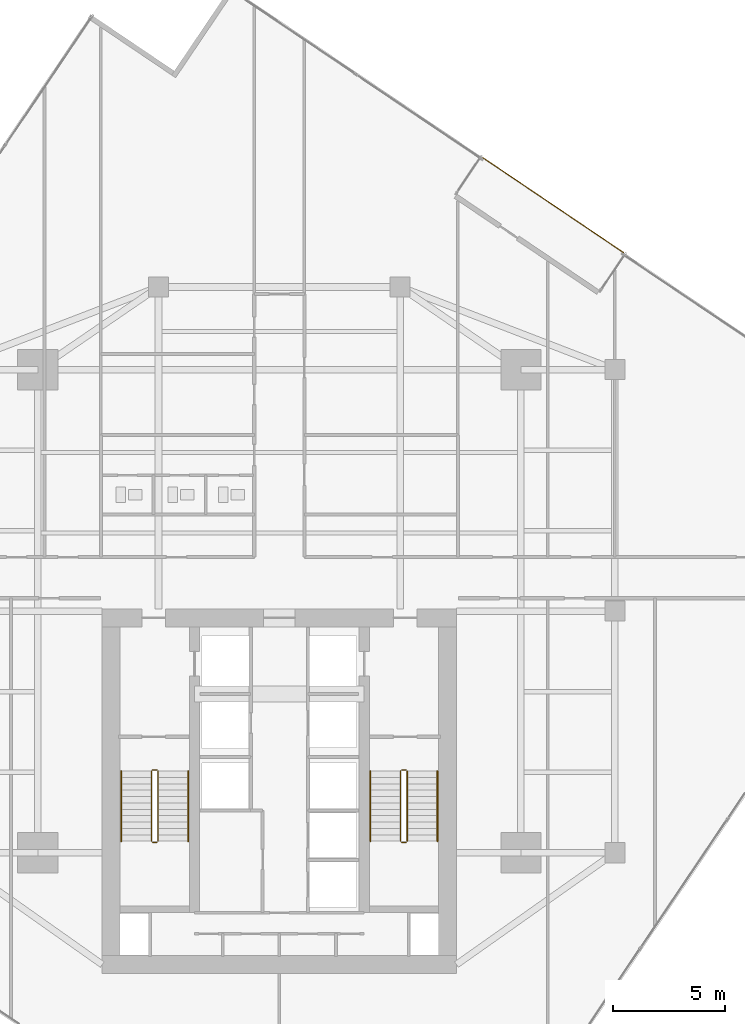
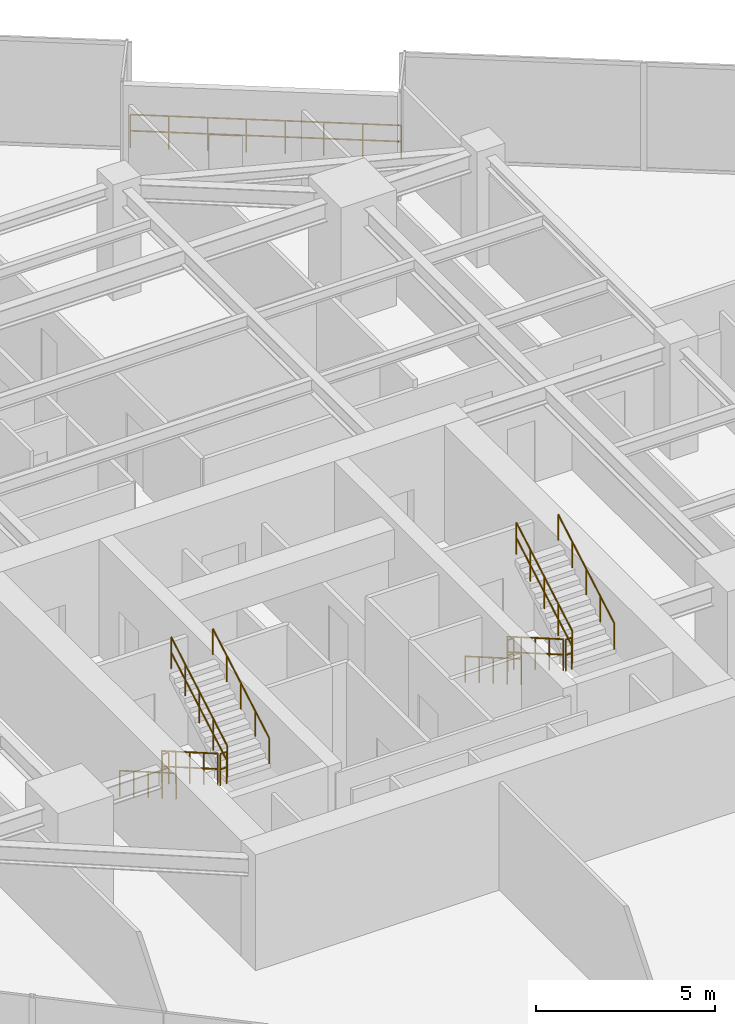
# One storey, part 26 of 27: 13 railings.
"""IFC4 building model written with IfcOpenShell, lengths in metres."""

from ifc_helpers import new_model, si_unit, direction, frame, origin, origin_2d, place, context, subcontext, project, spatial, circle, extrude, material, layer, layer_set, type_object, element, save


model = new_model("IFC4")

# Units and contexts
model_context = context("Model", 3, precision=1e-05, world=origin(), true_north=direction((0.0, 1.0)))
body_context = subcontext(model_context, "Body", "Model", "MODEL_VIEW")
ifc_project = project(units=[si_unit("LENGTHUNIT", "METRE"), si_unit("AREAUNIT", "SQUARE_METRE"), si_unit("VOLUMEUNIT", "CUBIC_METRE"), si_unit("PLANEANGLEUNIT", "RADIAN"), si_unit("MASSUNIT", "GRAM", prefix="KILO")], contexts=[model_context])

# Site, building, storey
site_placement = place(None, origin())
site = spatial("IfcSite", under=ifc_project, at=site_placement, CompositionType="ELEMENT")
building_placement = place(site_placement, origin())
building = spatial("IfcBuilding", under=site, at=building_placement, Name="Krantzveldt Concourse Tower", CompositionType="ELEMENT")
storey_placement = place(building_placement, frame((0.0, 0.0, 185.699951171875)))
storey = spatial("IfcBuildingStorey", under=building, at=storey_placement, Name="L45", CompositionType="ELEMENT", Elevation=185.699951171875)

# Railings
ifc_material = material(Name="Stainless steel 316L", Category="steel")
ifc_layer_1 = layer(ifc_material, 0.080078125, Name="Stainless steel 316L", Category="steel")
ifc_layer_set_1 = layer_set([ifc_layer_1], Name="Stainless steel 316L (RL-BALUSTRADE-1150)")
railing_type_1 = type_object("IfcRailingType", Name="RL-BALUSTRADE-1150", PredefinedType="BALUSTRADE", material=ifc_layer_set_1)
railing_1_placement = place(storey_placement, frame((45.095947265625, 46.98095703125, 0.0)))
element("IfcRailing", 1, at=railing_1_placement, inside=storey, type_object=railing_type_1, Name="GD-L45-CTER-01", PredefinedType="BALUSTRADE", context=body_context, shape_type="SweptSolid", body=[
    extrude(circle(Radius=0.02392578125, at=origin_2d()), frame((0.0, 0.0, 1.1259765625), z_axis=(0.82903334026, -0.559199178055, 0.0), x_axis=(0.559199178055, 0.82903334026, 0.0)), (0.0, 0.0, 1.0), 7.60009765625),
    extrude(circle(Radius=0.02392578125, at=origin_2d()), frame((0.0, 0.0, 0.574951171875), z_axis=(0.82903334026, -0.559199178055, 0.0), x_axis=(0.559199178055, 0.82903334026, 0.0)), (0.0, 0.0, 1.0), 7.60009765625),
    extrude(circle(Radius=0.02099609375, at=origin_2d()), origin(), (0.0, 0.0, 1.0), 1.101806640625),
    extrude(circle(Radius=0.02099609375, at=origin_2d()), frame((0.900146484375, -0.607177734375, 0.0)), (0.0, 0.0, 1.0), 1.101806640625),
    extrude(circle(Radius=0.02099609375, at=origin_2d()), frame((1.80029296875, -1.21435546875, 0.0)), (0.0, 0.0, 1.0), 1.101806640625),
    extrude(circle(Radius=0.02099609375, at=origin_2d()), frame((2.700439453125, -1.821533203125, 0.0)), (0.0, 0.0, 1.0), 1.101806640625),
    extrude(circle(Radius=0.02099609375, at=origin_2d()), frame((3.600341796875, -2.428466796875, 0.0)), (0.0, 0.0, 1.0), 1.101806640625),
    extrude(circle(Radius=0.02099609375, at=origin_2d()), frame((4.50048828125, -3.03564453125, 0.0)), (0.0, 0.0, 1.0), 1.101806640625),
    extrude(circle(Radius=0.02099609375, at=origin_2d()), frame((5.400634765625, -3.642822265625, 0.0)), (0.0, 0.0, 1.0), 1.101806640625),
    extrude(circle(Radius=0.02099609375, at=origin_2d()), frame((6.30078125, -4.25, 0.0)), (0.0, 0.0, 1.0), 1.101806640625),
])
ifc_layer_2 = layer(ifc_material, 0.06005859375, Name="Stainless steel 316L", Category="steel")
ifc_layer_set_2 = layer_set([ifc_layer_2], Name="Stainless steel 316L (RL-GUARD-1120)")
railing_type_2 = type_object("IfcRailingType", Name="RL-GUARD-1120", PredefinedType="GUARDRAIL", material=ifc_layer_set_2)
railing_2_placement = place(storey_placement, frame((30.280029296875, 19.550048828125, 0.16455078125)))
element("IfcRailing", 2, at=railing_2_placement, inside=storey, type_object=railing_type_2, Name="L45 ST-1 stair guard 1", PredefinedType="GUARDRAIL", context=body_context, shape_type="SweptSolid", body=[
    extrude(circle(Radius=0.02392578125, at=origin_2d()), frame((0.0, 0.0, 1.076171875), z_axis=(0.0, -0.865959834175, 0.500113552702), x_axis=(1.0, 0.0, 0.0)), (0.0, 0.0, 1.0), 3.620361328125),
    extrude(circle(Radius=0.02392578125, at=origin_2d()), frame((0.0, 0.0, 0.550048828125), z_axis=(0.0, -0.865959834175, 0.500113552702), x_axis=(1.0, 0.0, 0.0)), (0.0, 0.0, 1.0), 3.620361328125),
    extrude(circle(Radius=0.02099609375, at=origin_2d()), origin(), (0.0, 0.0, 1.0), 1.052001953125),
    extrude(circle(Radius=0.02099609375, at=origin_2d()), frame((0.0, -0.78369140625, 0.45263671875)), (0.0, 0.0, 1.0), 1.052001953125),
    extrude(circle(Radius=0.02099609375, at=origin_2d()), frame((0.0, -1.5673828125, 0.9052734375)), (0.0, 0.0, 1.0), 1.052001953125),
    extrude(circle(Radius=0.02099609375, at=origin_2d()), frame((0.0, -2.351318359375, 1.35791015625)), (0.0, 0.0, 1.0), 1.052001953125),
    extrude(circle(Radius=0.02099609375, at=origin_2d()), frame((0.0, -3.135009765625, 1.810546875)), (0.0, 0.0, 1.0), 1.052001953125),
])
railing_3_placement = place(storey_placement, frame((30.330078125, 16.364990234375, 1.97509765625)))
element("IfcRailing", 3, at=railing_3_placement, inside=storey, type_object=railing_type_2, Name="L45 ST-1 stair guard 2", PredefinedType="GUARDRAIL", context=body_context, shape_type="SweptSolid", body=[
    extrude(circle(Radius=0.02392578125, at=origin_2d()), frame((0.0, 0.0, 1.076171875), z_axis=(1.0, 0.0, 0.0), x_axis=(0.0, 1.0, 0.0)), (0.0, 0.0, 1.0), 0.199951171875),
    extrude(circle(Radius=0.02392578125, at=origin_2d()), frame((0.0, 0.0, 0.550048828125), z_axis=(1.0, 0.0, 0.0), x_axis=(0.0, 1.0, 0.0)), (0.0, 0.0, 1.0), 0.199951171875),
    extrude(circle(Radius=0.02099609375, at=origin_2d()), origin(), (0.0, 0.0, 1.0), 1.052001953125),
    extrude(circle(Radius=0.02099609375, at=origin_2d()), frame((0.199951171875, 0.0, 0.0)), (0.0, 0.0, 1.0), 1.052001953125),
])
railing_4_placement = place(storey_placement, frame((30.580078125, 16.4150390625, 2.1396484375)))
element("IfcRailing", 4, at=railing_4_placement, inside=storey, type_object=railing_type_2, Name="L45 ST-1 stair guard 3", PredefinedType="GUARDRAIL", context=body_context, shape_type="SweptSolid", body=[
    extrude(circle(Radius=0.02392578125, at=origin_2d()), frame((0.0, 0.0, 1.076171875), z_axis=(0.0, 0.865989039225, 0.500062979975), x_axis=(-1.0, 0.0, 0.0)), (0.0, 0.0, 1.0), 3.6201171875),
    extrude(circle(Radius=0.02392578125, at=origin_2d()), frame((0.0, 0.0, 0.550048828125), z_axis=(0.0, 0.865989039225, 0.500062979975), x_axis=(-1.0, 0.0, 0.0)), (0.0, 0.0, 1.0), 3.6201171875),
    extrude(circle(Radius=0.02099609375, at=origin_2d()), origin(), (0.0, 0.0, 1.0), 1.052001953125),
    extrude(circle(Radius=0.02099609375, at=origin_2d()), frame((0.0, 0.78369140625, 0.45263671875)), (0.0, 0.0, 1.0), 1.052001953125),
    extrude(circle(Radius=0.02099609375, at=origin_2d()), frame((0.0, 1.5673828125, 0.9052734375)), (0.0, 0.0, 1.0), 1.052001953125),
    extrude(circle(Radius=0.02099609375, at=origin_2d()), frame((0.0, 2.351318359375, 1.357666015625)), (0.0, 0.0, 1.0), 1.052001953125),
    extrude(circle(Radius=0.02099609375, at=origin_2d()), frame((0.0, 3.135009765625, 1.810302734375)), (0.0, 0.0, 1.0), 1.052001953125),
])
railing_5_placement = place(storey_placement, frame((30.330078125, 19.60009765625, 0.0)))
element("IfcRailing", 5, at=railing_5_placement, inside=storey, type_object=railing_type_2, Name="L45 ST-1 stair guard 4", PredefinedType="GUARDRAIL", context=body_context, shape_type="SweptSolid", body=[
    extrude(circle(Radius=0.02392578125, at=origin_2d()), frame((0.0, 0.0, 1.076171875), z_axis=(1.0, 0.0, 0.0), x_axis=(0.0, 1.0, 0.0)), (0.0, 0.0, 1.0), 0.199951171875),
    extrude(circle(Radius=0.02392578125, at=origin_2d()), frame((0.0, 0.0, 0.550048828125), z_axis=(1.0, 0.0, 0.0), x_axis=(0.0, 1.0, 0.0)), (0.0, 0.0, 1.0), 0.199951171875),
    extrude(circle(Radius=0.02099609375, at=origin_2d()), origin(), (0.0, 0.0, 1.0), 1.052001953125),
    extrude(circle(Radius=0.02099609375, at=origin_2d()), frame((0.199951171875, 0.0, 0.0)), (0.0, 0.0, 1.0), 1.052001953125),
])
railing_6_placement = place(storey_placement, frame((41.419921875, 19.550048828125, 0.16455078125)))
element("IfcRailing", 6, at=railing_6_placement, inside=storey, type_object=railing_type_2, Name="L45 ST-2 stair guard 1", PredefinedType="GUARDRAIL", context=body_context, shape_type="SweptSolid", body=[
    extrude(circle(Radius=0.02392578125, at=origin_2d()), frame((0.0, 0.0, 1.076171875), z_axis=(0.0, -0.865959834175, 0.500113552702), x_axis=(1.0, 0.0, 0.0)), (0.0, 0.0, 1.0), 3.620361328125),
    extrude(circle(Radius=0.02392578125, at=origin_2d()), frame((0.0, 0.0, 0.550048828125), z_axis=(0.0, -0.865959834175, 0.500113552702), x_axis=(1.0, 0.0, 0.0)), (0.0, 0.0, 1.0), 3.620361328125),
    extrude(circle(Radius=0.02099609375, at=origin_2d()), origin(), (0.0, 0.0, 1.0), 1.052001953125),
    extrude(circle(Radius=0.02099609375, at=origin_2d()), frame((0.0, -0.78369140625, 0.45263671875)), (0.0, 0.0, 1.0), 1.052001953125),
    extrude(circle(Radius=0.02099609375, at=origin_2d()), frame((0.0, -1.5673828125, 0.9052734375)), (0.0, 0.0, 1.0), 1.052001953125),
    extrude(circle(Radius=0.02099609375, at=origin_2d()), frame((0.0, -2.351318359375, 1.35791015625)), (0.0, 0.0, 1.0), 1.052001953125),
    extrude(circle(Radius=0.02099609375, at=origin_2d()), frame((0.0, -3.135009765625, 1.810546875)), (0.0, 0.0, 1.0), 1.052001953125),
])
railing_7_placement = place(storey_placement, frame((41.469970703125, 16.364990234375, 1.97509765625)))
element("IfcRailing", 7, at=railing_7_placement, inside=storey, type_object=railing_type_2, Name="L45 ST-2 stair guard 2", PredefinedType="GUARDRAIL", context=body_context, shape_type="SweptSolid", body=[
    extrude(circle(Radius=0.02392578125, at=origin_2d()), frame((0.0, 0.0, 1.076171875), z_axis=(1.0, 0.0, 0.0), x_axis=(0.0, 1.0, 0.0)), (0.0, 0.0, 1.0), 0.199951171875),
    extrude(circle(Radius=0.02392578125, at=origin_2d()), frame((0.0, 0.0, 0.550048828125), z_axis=(1.0, 0.0, 0.0), x_axis=(0.0, 1.0, 0.0)), (0.0, 0.0, 1.0), 0.199951171875),
    extrude(circle(Radius=0.02099609375, at=origin_2d()), origin(), (0.0, 0.0, 1.0), 1.052001953125),
    extrude(circle(Radius=0.02099609375, at=origin_2d()), frame((0.199951171875, 0.0, 0.0)), (0.0, 0.0, 1.0), 1.052001953125),
])
railing_8_placement = place(storey_placement, frame((41.719970703125, 16.4150390625, 2.1396484375)))
element("IfcRailing", 8, at=railing_8_placement, inside=storey, type_object=railing_type_2, Name="L45 ST-2 stair guard 3", PredefinedType="GUARDRAIL", context=body_context, shape_type="SweptSolid", body=[
    extrude(circle(Radius=0.02392578125, at=origin_2d()), frame((0.0, 0.0, 1.076171875), z_axis=(0.0, 0.865989039225, 0.500062979975), x_axis=(-1.0, 0.0, 0.0)), (0.0, 0.0, 1.0), 3.6201171875),
    extrude(circle(Radius=0.02392578125, at=origin_2d()), frame((0.0, 0.0, 0.550048828125), z_axis=(0.0, 0.865989039225, 0.500062979975), x_axis=(-1.0, 0.0, 0.0)), (0.0, 0.0, 1.0), 3.6201171875),
    extrude(circle(Radius=0.02099609375, at=origin_2d()), origin(), (0.0, 0.0, 1.0), 1.052001953125),
    extrude(circle(Radius=0.02099609375, at=origin_2d()), frame((0.0, 0.78369140625, 0.45263671875)), (0.0, 0.0, 1.0), 1.052001953125),
    extrude(circle(Radius=0.02099609375, at=origin_2d()), frame((0.0, 1.5673828125, 0.9052734375)), (0.0, 0.0, 1.0), 1.052001953125),
    extrude(circle(Radius=0.02099609375, at=origin_2d()), frame((0.0, 2.351318359375, 1.357666015625)), (0.0, 0.0, 1.0), 1.052001953125),
    extrude(circle(Radius=0.02099609375, at=origin_2d()), frame((0.0, 3.135009765625, 1.810302734375)), (0.0, 0.0, 1.0), 1.052001953125),
])
railing_9_placement = place(storey_placement, frame((41.469970703125, 19.60009765625, 0.0)))
element("IfcRailing", 9, at=railing_9_placement, inside=storey, type_object=railing_type_2, Name="L45 ST-2 stair guard 4", PredefinedType="GUARDRAIL", context=body_context, shape_type="SweptSolid", body=[
    extrude(circle(Radius=0.02392578125, at=origin_2d()), frame((0.0, 0.0, 1.076171875), z_axis=(1.0, 0.0, 0.0), x_axis=(0.0, 1.0, 0.0)), (0.0, 0.0, 1.0), 0.199951171875),
    extrude(circle(Radius=0.02392578125, at=origin_2d()), frame((0.0, 0.0, 0.550048828125), z_axis=(1.0, 0.0, 0.0), x_axis=(0.0, 1.0, 0.0)), (0.0, 0.0, 1.0), 0.199951171875),
    extrude(circle(Radius=0.02099609375, at=origin_2d()), origin(), (0.0, 0.0, 1.0), 1.052001953125),
    extrude(circle(Radius=0.02099609375, at=origin_2d()), frame((0.199951171875, 0.0, 0.0)), (0.0, 0.0, 1.0), 1.052001953125),
])
ifc_layer_3 = layer(ifc_material, 0.050048828125, Name="Stainless steel 316L", Category="steel")
ifc_layer_set_3 = layer_set([ifc_layer_3], Name="Stainless steel 316L (RL-HANDRAIL-920)")
railing_type_3 = type_object("IfcRailingType", Name="RL-HANDRAIL-920", PredefinedType="HANDRAIL", material=ifc_layer_set_3)
railing_10_placement = place(storey_placement, frame((28.929931640625, 19.550048828125, 0.16455078125)))
element("IfcRailing", 10, at=railing_10_placement, inside=storey, type_object=railing_type_3, Name="L45 ST-1 stair handrail 1", PredefinedType="HANDRAIL", context=body_context, shape_type="SweptSolid", body=[
    extrude(circle(Radius=0.02392578125, at=origin_2d()), frame((0.0, 0.0, 0.8759765625), z_axis=(0.0, -0.865959834175, 0.500113552702), x_axis=(1.0, 0.0, 0.0)), (0.0, 0.0, 1.0), 3.620361328125),
    extrude(circle(Radius=0.02099609375, at=origin_2d()), origin(), (0.0, 0.0, 1.0), 0.851806640625),
    extrude(circle(Radius=0.02099609375, at=origin_2d()), frame((0.0, -0.78369140625, 0.45263671875)), (0.0, 0.0, 1.0), 0.851806640625),
    extrude(circle(Radius=0.02099609375, at=origin_2d()), frame((0.0, -1.5673828125, 0.9052734375)), (0.0, 0.0, 1.0), 0.851806640625),
    extrude(circle(Radius=0.02099609375, at=origin_2d()), frame((0.0, -2.351318359375, 1.35791015625)), (0.0, 0.0, 1.0), 0.851806640625),
    extrude(circle(Radius=0.02099609375, at=origin_2d()), frame((0.0, -3.135009765625, 1.810546875)), (0.0, 0.0, 1.0), 0.851806640625),
])
railing_11_placement = place(storey_placement, frame((31.929931640625, 16.4150390625, 2.1396484375)))
element("IfcRailing", 11, at=railing_11_placement, inside=storey, type_object=railing_type_3, Name="L45 ST-1 stair handrail 2", PredefinedType="HANDRAIL", context=body_context, shape_type="SweptSolid", body=[
    extrude(circle(Radius=0.02392578125, at=origin_2d()), frame((0.0, 0.0, 0.8759765625), z_axis=(0.0, 0.865989039225, 0.500062979975), x_axis=(-1.0, 0.0, 0.0)), (0.0, 0.0, 1.0), 3.6201171875),
    extrude(circle(Radius=0.02099609375, at=origin_2d()), origin(), (0.0, 0.0, 1.0), 0.851806640625),
    extrude(circle(Radius=0.02099609375, at=origin_2d()), frame((0.0, 0.78369140625, 0.45263671875)), (0.0, 0.0, 1.0), 0.851806640625),
    extrude(circle(Radius=0.02099609375, at=origin_2d()), frame((0.0, 1.5673828125, 0.9052734375)), (0.0, 0.0, 1.0), 0.851806640625),
    extrude(circle(Radius=0.02099609375, at=origin_2d()), frame((0.0, 2.351318359375, 1.357666015625)), (0.0, 0.0, 1.0), 0.851806640625),
    extrude(circle(Radius=0.02099609375, at=origin_2d()), frame((0.0, 3.135009765625, 1.810302734375)), (0.0, 0.0, 1.0), 0.851806640625),
])
railing_12_placement = place(storey_placement, frame((40.070068359375, 19.550048828125, 0.16455078125)))
element("IfcRailing", 12, at=railing_12_placement, inside=storey, type_object=railing_type_3, Name="L45 ST-2 stair handrail 1", PredefinedType="HANDRAIL", context=body_context, shape_type="SweptSolid", body=[
    extrude(circle(Radius=0.02392578125, at=origin_2d()), frame((0.0, 0.0, 0.8759765625), z_axis=(0.0, -0.865959834175, 0.500113552702), x_axis=(1.0, 0.0, 0.0)), (0.0, 0.0, 1.0), 3.620361328125),
    extrude(circle(Radius=0.02099609375, at=origin_2d()), origin(), (0.0, 0.0, 1.0), 0.851806640625),
    extrude(circle(Radius=0.02099609375, at=origin_2d()), frame((0.0, -0.78369140625, 0.45263671875)), (0.0, 0.0, 1.0), 0.851806640625),
    extrude(circle(Radius=0.02099609375, at=origin_2d()), frame((0.0, -1.5673828125, 0.9052734375)), (0.0, 0.0, 1.0), 0.851806640625),
    extrude(circle(Radius=0.02099609375, at=origin_2d()), frame((0.0, -2.351318359375, 1.35791015625)), (0.0, 0.0, 1.0), 0.851806640625),
    extrude(circle(Radius=0.02099609375, at=origin_2d()), frame((0.0, -3.135009765625, 1.810546875)), (0.0, 0.0, 1.0), 0.851806640625),
])
railing_13_placement = place(storey_placement, frame((43.070068359375, 16.4150390625, 2.1396484375)))
element("IfcRailing", 13, at=railing_13_placement, inside=storey, type_object=railing_type_3, Name="L45 ST-2 stair handrail 2", PredefinedType="HANDRAIL", context=body_context, shape_type="SweptSolid", body=[
    extrude(circle(Radius=0.02392578125, at=origin_2d()), frame((0.0, 0.0, 0.8759765625), z_axis=(0.0, 0.865989039225, 0.500062979975), x_axis=(-1.0, 0.0, 0.0)), (0.0, 0.0, 1.0), 3.6201171875),
    extrude(circle(Radius=0.02099609375, at=origin_2d()), origin(), (0.0, 0.0, 1.0), 0.851806640625),
    extrude(circle(Radius=0.02099609375, at=origin_2d()), frame((0.0, 0.78369140625, 0.45263671875)), (0.0, 0.0, 1.0), 0.851806640625),
    extrude(circle(Radius=0.02099609375, at=origin_2d()), frame((0.0, 1.5673828125, 0.9052734375)), (0.0, 0.0, 1.0), 0.851806640625),
    extrude(circle(Radius=0.02099609375, at=origin_2d()), frame((0.0, 2.351318359375, 1.357666015625)), (0.0, 0.0, 1.0), 0.851806640625),
    extrude(circle(Radius=0.02099609375, at=origin_2d()), frame((0.0, 3.135009765625, 1.810302734375)), (0.0, 0.0, 1.0), 0.851806640625),
])

save(model, "model.ifc")
